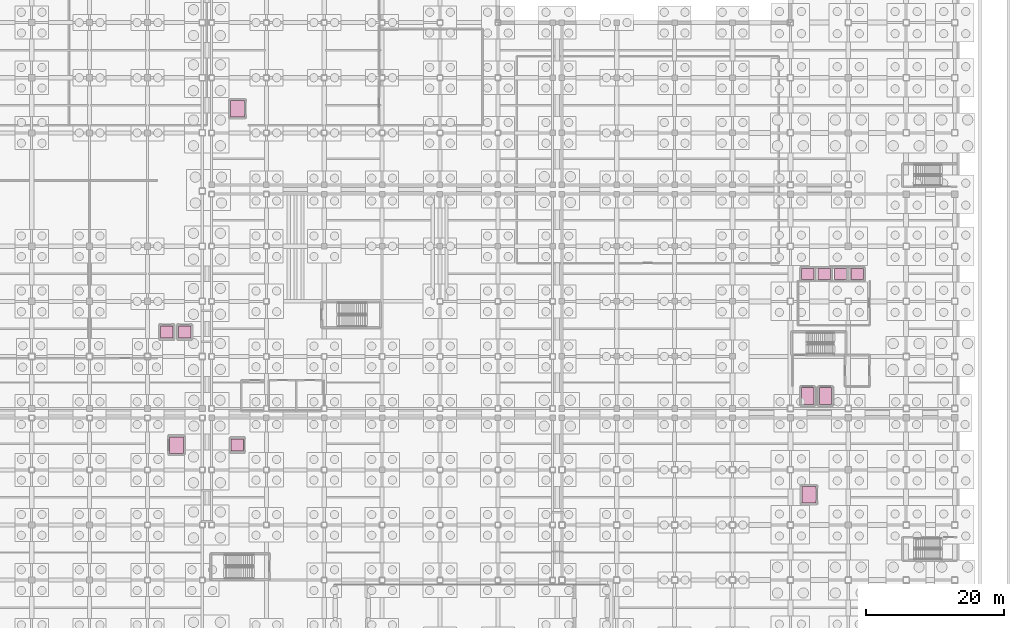
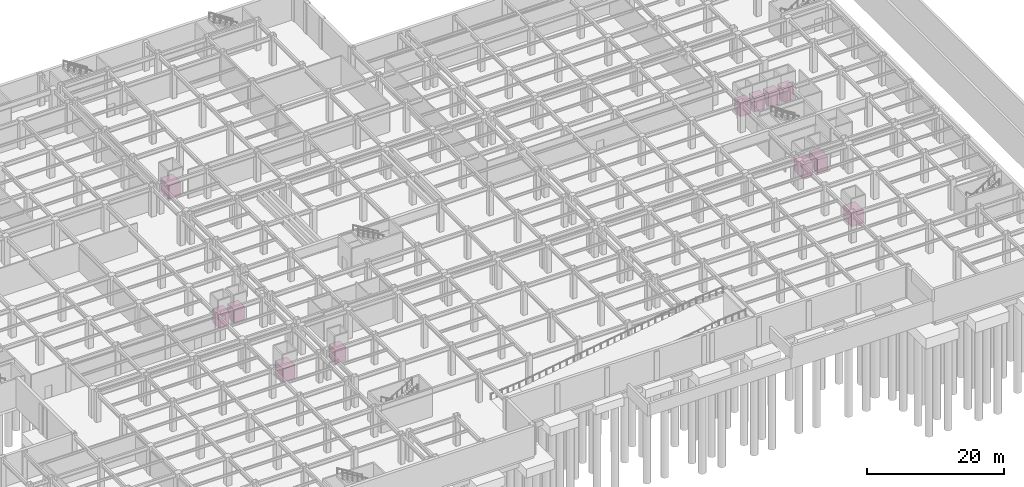
# One storey, part 55 of 55: 12 transport elements.
"""IFC4 building model written with IfcOpenShell, lengths in metres."""

from ifc_helpers import new_model, si_unit, direction, frame, origin, origin_2d, place, context, subcontext, project, spatial, rectangle, extrude, material, type_object, element, save


model = new_model("IFC4")

# Units and contexts
model_context = context("Model", 3, precision=1e-05, world=origin(), true_north=direction((0.0, 1.0)))
body_context = subcontext(model_context, "Body", "Model", "MODEL_VIEW")
ifc_project = project(units=[si_unit("LENGTHUNIT", "METRE"), si_unit("AREAUNIT", "SQUARE_METRE"), si_unit("VOLUMEUNIT", "CUBIC_METRE"), si_unit("PLANEANGLEUNIT", "RADIAN"), si_unit("MASSUNIT", "GRAM", prefix="KILO")], contexts=[model_context])

# Site, building, storey
site_placement = place(None, origin())
site = spatial("IfcSite", under=ifc_project, at=site_placement, CompositionType="ELEMENT")
building_placement = place(site_placement, origin())
building = spatial("IfcBuilding", under=site, at=building_placement, Name="Kazehara Bluff Congress Hotel", CompositionType="ELEMENT")
storey_placement = place(building_placement, frame((0.0, 0.0, -5.39990234375)))
storey = spatial("IfcBuildingStorey", under=building, at=storey_placement, Name="B1", CompositionType="ELEMENT", Elevation=-5.39990234375)

# Transport elements
ifc_material_1 = material(Name="Brushed stainless steel", Category="steel")
transport_element_type_1 = type_object("IfcTransportElementType", Name="TP-LFT-C1", PredefinedType="ELEVATOR", material=ifc_material_1)
for number, where, z_axis, x_axis, name in (
    (1, (53.199951171875, 52.0, 0.0), (0.0, 0.0, 1.0), (1.0, 0.0, 0.0), "Passenger elevator EL-C1"),
    (2, (55.800048828125, 52.0, 0.0), (0.0, 0.0, 1.0), (1.0, 0.0, 0.0), "Passenger elevator EL-C2"),
    (3, (63.449951171875, 35.60009765625, 0.0), (0.0, 0.0, 1.0), (1.0, 0.0, 0.0), "Passenger elevator EL-C3"),
):
    element("IfcTransportElement", number, at=place(storey_placement, frame(where, z_axis=z_axis, x_axis=x_axis)), inside=storey, type_object=transport_element_type_1, Name=name, PredefinedType="ELEVATOR", context=body_context, shape_type="SweptSolid", body=[
        extrude(rectangle(XDim=1.800048828125, YDim=1.800048828125, at=origin_2d()), origin(), (0.0, 0.0, 1.0), 2.39990234375),
    ])
ifc_material_2 = material(Name="Brushed stainless steel", Category="steel")
transport_element_type_2 = type_object("IfcTransportElementType", Name="TP-LFT-FF", PredefinedType="ELEVATOR", material=ifc_material_2)
for number, where, z_axis, x_axis, name in (
    (4, (146.199951171875, 42.699951171875, 0.0), (0.0, 0.0, 1.0), (1.0, 0.0, 0.0), "Firefighting elevator EL-E1"),
    (5, (148.800048828125, 42.699951171875, 0.0), (0.0, 0.0, 1.0), (1.0, 0.0, 0.0), "Firefighting elevator EL-E2"),
):
    element("IfcTransportElement", number, at=place(storey_placement, frame(where, z_axis=z_axis, x_axis=x_axis)), inside=storey, type_object=transport_element_type_2, Name=name, PredefinedType="ELEVATOR", context=body_context, shape_type="SweptSolid", body=[
        extrude(rectangle(XDim=1.800048828125, YDim=2.449951171875, at=origin_2d()), origin(), (0.0, 0.0, 1.0), 2.39990234375),
    ])
ifc_material_3 = material(Name="Brushed stainless steel", Category="steel")
transport_element_type_3 = type_object("IfcTransportElementType", Name="TP-LFT-P1", PredefinedType="ELEVATOR", material=ifc_material_3)
for number, where, z_axis, x_axis, name in (
    (6, (146.199951171875, 60.39990234375, 0.0), (0.0, 0.0, 1.0), (1.0, 0.0, 0.0), "Passenger elevator EL-P1"),
    (7, (148.60009765625, 60.39990234375, 0.0), (0.0, 0.0, 1.0), (1.0, 0.0, 0.0), "Passenger elevator EL-P2"),
    (8, (151.0, 60.39990234375, 0.0), (0.0, 0.0, 1.0), (1.0, 0.0, 0.0), "Passenger elevator EL-P3"),
    (9, (153.39990234375, 60.39990234375, 0.0), (0.0, 0.0, 1.0), (1.0, 0.0, 0.0), "Passenger elevator EL-P4"),
):
    element("IfcTransportElement", number, at=place(storey_placement, frame(where, z_axis=z_axis, x_axis=x_axis)), inside=storey, type_object=transport_element_type_3, Name=name, PredefinedType="ELEVATOR", context=body_context, shape_type="SweptSolid", body=[
        extrude(rectangle(XDim=1.800048828125, YDim=1.60009765625, at=origin_2d()), origin(), (0.0, 0.0, 1.0), 2.39990234375),
    ])
ifc_material_4 = material(Name="Brushed stainless steel", Category="steel")
transport_element_type_4 = type_object("IfcTransportElementType", Name="TP-LFT-SV", PredefinedType="ELEVATOR", material=ifc_material_4)
for number, where, z_axis, x_axis, name in (
    (10, (54.60009765625, 35.60009765625, 0.0), (0.0, 0.0, 1.0), (1.0, 0.0, 0.0), "Service elevator EL-S1"),
    (11, (63.449951171875, 84.39990234375, 0.0), (0.0, 0.0, 1.0), (1.0, 0.0, 0.0), "Service elevator EL-S2"),
    (12, (146.39990234375, 28.39990234375, 0.0), (0.0, 0.0, 1.0), (1.0, 0.0, 0.0), "Service elevator EL-S3"),
):
    element("IfcTransportElement", number, at=place(storey_placement, frame(where, z_axis=z_axis, x_axis=x_axis)), inside=storey, type_object=transport_element_type_4, Name=name, PredefinedType="ELEVATOR", context=body_context, shape_type="SweptSolid", body=[
        extrude(rectangle(XDim=2.0, YDim=2.39990234375, at=origin_2d()), origin(), (0.0, 0.0, 1.0), 2.39990234375),
    ])

save(model, "model.ifc")
